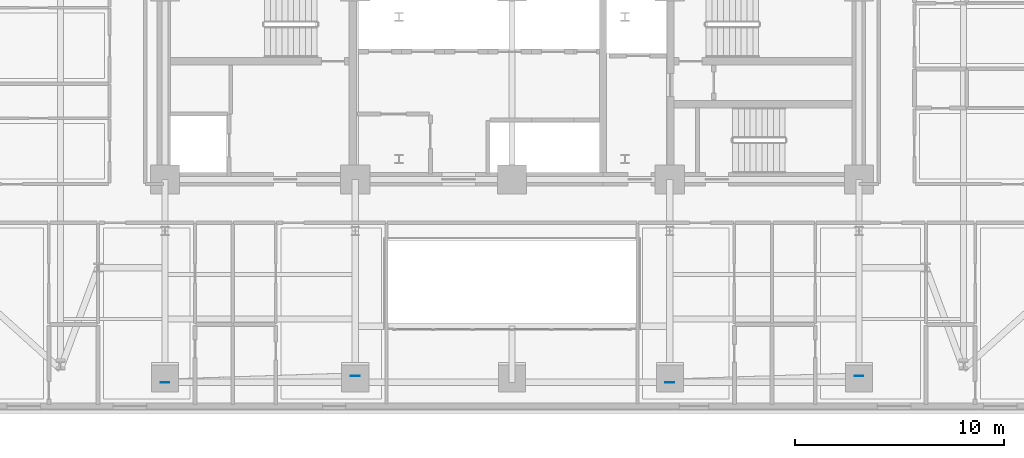
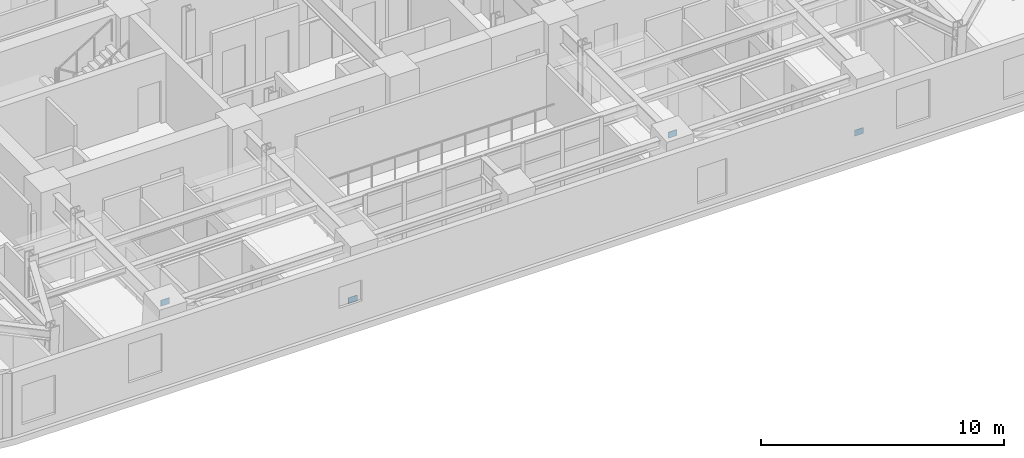
# One storey, part 7 of 16: 4 plates.
"""IFC4 building model written with IfcOpenShell, lengths in metres."""

import ifcopenshell
import ifcopenshell.guid

model = None  # the IFC model being written
_history = None  # IfcOwnerHistory: only IFC2X3 demands one
_inside = {}  # id of a spatial element -> (the spatial element, [elements in it])
_under = {}  # id of a project, library or spatial element -> (it, [spatial elements below it])
_declared = {}  # id of a project -> (the project, [libraries it declares])
_typed = {}  # id of a type object -> (the type object, [elements of that type])
_made_of = {}  # id of a material, layer set ... -> (it, [elements and type objects made of it])


def new_model(schema):
    """Start an empty IFC model of exactly this schema.

    Asked for "IFC4X3", IfcOpenShell would pick the latest addendum, in which some entities
    have other attributes; the version numbers below select the first issue.
    IFC2X3 requires an IfcOwnerHistory on every rooted entity: one is made here for all.
    """
    global model, _history
    if schema == "IFC4X3":
        model = ifcopenshell.file(schema_version=(4, 3, 0, 0))
    else:
        model = ifcopenshell.file(schema=schema)
    _inside.clear()
    _under.clear()
    _declared.clear()
    _typed.clear()
    _made_of.clear()
    _history = None
    if model.schema == "IFC2X3":
        org = make("IfcOrganization", Name="unknown")
        user = make(
            "IfcPersonAndOrganization",
            ThePerson=make("IfcPerson", FamilyName="unknown"),
            TheOrganization=org,
        )
        app = make(
            "IfcApplication",
            ApplicationDeveloper=org,
            Version="unknown",
            ApplicationFullName="unknown",
            ApplicationIdentifier="unknown",
        )
        _history = make(
            "IfcOwnerHistory",
            OwningUser=user,
            OwningApplication=app,
            ChangeAction="ADDED",
            CreationDate=0,
        )
    return model


def make(cls, **values):
    """One entity of the class cls with the attributes given. An attribute that is None is left unset."""
    return model.create_entity(
        cls, **{name: value for name, value in values.items() if value is not None}
    )


def rooted(cls, **values):
    """An entity with a GlobalId (a new one), such as an element, a storey or a relation."""
    return make(cls, GlobalId=ifcopenshell.guid.new(), OwnerHistory=_history, **values)


def si_unit(unit_type, name, prefix=None):
    """IfcSIUnit, for example si_unit("LENGTHUNIT", "METRE", prefix="MILLI")."""
    return make("IfcSIUnit", UnitType=unit_type, Prefix=prefix, Name=name)


def assignment(units):
    """IfcUnitAssignment: the units of a project."""
    return None if units is None else make("IfcUnitAssignment", Units=units)


def point(xyz):
    """IfcCartesianPoint."""
    return None if xyz is None else make("IfcCartesianPoint", Coordinates=xyz)


def direction(xyz):
    """IfcDirection."""
    return None if xyz is None else make("IfcDirection", DirectionRatios=xyz)


def frame(location, z_axis=None, x_axis=None):
    """IfcAxis2Placement3D, a coordinate frame: its origin and axes. An axis left out is left unset."""
    return make(
        "IfcAxis2Placement3D",
        Location=point(location),
        Axis=direction(z_axis),
        RefDirection=direction(x_axis),
    )


def frame_2d(location, x_axis=None):
    """IfcAxis2Placement2D, a coordinate frame in the plane: its origin and x axis."""
    return make(
        "IfcAxis2Placement2D", Location=point(location), RefDirection=direction(x_axis)
    )


def origin():
    """The frame at (0, 0, 0) with its axes left unset."""
    return frame((0.0, 0.0, 0.0))


def origin_2d():
    """The frame at (0, 0) in the plane with its x axis left unset."""
    return frame_2d((0.0, 0.0))


def place(relative_to, where):
    """IfcLocalPlacement: puts the frame where relative to a parent placement (None: the world)."""
    return make(
        "IfcLocalPlacement", PlacementRelTo=relative_to, RelativePlacement=where
    )


def context(
    kind, dimensions, precision=None, world=None, true_north=None, identifier=None
):
    """IfcGeometricRepresentationContext, for example the 3D "Model" context."""
    return make(
        "IfcGeometricRepresentationContext",
        ContextIdentifier=identifier,
        ContextType=kind,
        CoordinateSpaceDimension=dimensions,
        Precision=precision,
        WorldCoordinateSystem=world,
        TrueNorth=true_north,
    )


def subcontext(parent, identifier, kind, view, scale=None):
    """IfcGeometricRepresentationSubContext, for example "Body" below "Model"."""
    return make(
        "IfcGeometricRepresentationSubContext",
        ContextIdentifier=identifier,
        ContextType=kind,
        ParentContext=parent,
        TargetScale=scale,
        TargetView=view,
    )


def project(units=None, contexts=None):
    """IfcProject with its units and contexts."""
    return rooted(
        "IfcProject",
        Name="project",
        RepresentationContexts=contexts,
        UnitsInContext=assignment(units),
    )


def spatial(cls, under=None, at=None, **own):
    """A site, building, storey or space (cls), placed at a placement, below another one or the project."""
    s = rooted(cls, ObjectPlacement=at, **own)
    if under is not None:
        _under.setdefault(under.id(), (under, []))[1].append(s)
    return s


def profile(cls, at=None, kind="AREA", **sizes):
    """A parametric profile (cls). Its sizes go by their IFC names, for example OverallWidth=200.0."""
    return make(cls, ProfileType=kind, Position=at, **sizes)


def rectangle(**sizes):
    """IfcRectangleProfileDef."""
    return profile("IfcRectangleProfileDef", **sizes)


def extrude(swept, where, along, depth):
    """IfcExtrudedAreaSolid: the profile swept, set in the frame where, extruded along a direction by depth."""
    return make(
        "IfcExtrudedAreaSolid",
        SweptArea=swept,
        Position=where,
        ExtrudedDirection=direction(along),
        Depth=depth,
    )


def shape(context_of_items, identifier, shape_type, items):
    """IfcShapeRepresentation: the items that make up one representation, for example the "Body"."""
    return make(
        "IfcShapeRepresentation",
        ContextOfItems=context_of_items,
        RepresentationIdentifier=identifier,
        RepresentationType=shape_type,
        Items=items,
    )


def material(Name=None, Category=None):
    """IfcMaterial."""
    return make("IfcMaterial", Name=Name, Category=Category)


def layer(
    of_material, thickness, ventilated=None, Name=None, Category=None, Priority=None
):
    """IfcMaterialLayer: one layer of a wall or slab, of a material (None: an air gap)."""
    return make(
        "IfcMaterialLayer",
        Material=of_material,
        LayerThickness=thickness,
        IsVentilated=ventilated,
        Name=Name,
        Category=Category,
        Priority=Priority,
    )


def layer_set(layers, Name=None):
    """IfcMaterialLayerSet."""
    return make("IfcMaterialLayerSet", MaterialLayers=layers, LayerSetName=Name)


def made_of(thing, what):
    """Note that an element or type object is made of a material, layer set ...; save() writes the relation."""
    if what is not None:
        _made_of.setdefault(what.id(), (what, []))[1].append(thing)
    return thing


def type_object(cls, material=None, **own):
    """A type object (cls), such as IfcWallType, which elements share."""
    return made_of(rooted(cls, **own), material)


def element(
    cls,
    number,
    at=None,
    inside=None,
    cuts=None,
    type_object=None,
    material=None,
    context=None,
    identifier="Body",
    shape_type=None,
    held_by="IfcProductDefinitionShape",
    body=None,
    shapes=None,
    **own,
):
    """One element of the class cls, such as IfcWall. Its Tag is "e" and its number.

    at: its placement. inside: the storey or other place that contains it. cuts: it is an
    opening in that element (IfcRelVoidsElement). A single representation is given by context,
    identifier, shape_type and body (its items); several are given by shapes. held_by: the class
    of the entity that holds the representations. save() writes the other relations.
    """
    e = rooted(cls, Tag="e%d" % number, ObjectPlacement=at, **own)
    if body is not None:
        shapes = [shape(context, identifier, shape_type, body)]
    if shapes is not None:
        e.Representation = make(held_by, Representations=shapes)
    if inside is not None:
        _inside.setdefault(inside.id(), (inside, []))[1].append(e)
    if cuts is not None:
        rooted(
            "IfcRelVoidsElement", RelatingBuildingElement=cuts, RelatedOpeningElement=e
        )
    if type_object is not None:
        _typed.setdefault(type_object.id(), (type_object, []))[1].append(e)
    return made_of(e, material)


def aggregate(whole, parts):
    """IfcRelAggregates: a whole, such as a stair, and the parts it consists of."""
    return rooted("IfcRelAggregates", RelatingObject=whole, RelatedObjects=parts)


def save(model, path):
    """Write the relations noted so far, then the file.

    IfcRelAggregates (storeys below a building ...), IfcRelContainedInSpatialStructure (elements
    in a storey), IfcRelDefinesByType, IfcRelAssociatesMaterial and IfcRelDeclares: one each for
    every whole, place, type object, material and project.
    """
    for whole, parts in _under.values():
        aggregate(whole, parts)
    for where, things in _inside.values():
        rooted(
            "IfcRelContainedInSpatialStructure",
            RelatedElements=things,
            RelatingStructure=where,
        )
    for kind, things in _typed.values():
        rooted("IfcRelDefinesByType", RelatedObjects=things, RelatingType=kind)
    for what, things in _made_of.values():
        rooted("IfcRelAssociatesMaterial", RelatedObjects=things, RelatingMaterial=what)
    for by, libraries in _declared.values():
        rooted("IfcRelDeclares", RelatingContext=by, RelatedDefinitions=libraries)
    model.write(path)


model = new_model("IFC4")

# Units and contexts
model_context = context("Model", 3, precision=1e-05, world=origin(), true_north=direction((0.0, 1.0)))
body_context = subcontext(model_context, "Body", "Model", "MODEL_VIEW")
ifc_project = project(units=[si_unit("LENGTHUNIT", "METRE"), si_unit("AREAUNIT", "SQUARE_METRE"), si_unit("VOLUMEUNIT", "CUBIC_METRE"), si_unit("PLANEANGLEUNIT", "RADIAN"), si_unit("MASSUNIT", "GRAM", prefix="KILO")], contexts=[model_context])

# Site, building, storey
site_placement = place(None, origin())
site = spatial("IfcSite", under=ifc_project, at=site_placement, CompositionType="ELEMENT")
building_placement = place(site_placement, origin())
building = spatial("IfcBuilding", under=site, at=building_placement, Name="Zarnavel Station Tower", CompositionType="ELEMENT")
storey_placement = place(building_placement, frame((0.0, 0.0, 86.300048828125)))
storey = spatial("IfcBuildingStorey", under=building, at=storey_placement, Name="L23", CompositionType="ELEMENT", Elevation=86.300048828125)

# Plates
ifc_material = material(Name="Steel S460M", Category="steel")
ifc_layer = layer(ifc_material, 0.02490234375)
ifc_layer_set = layer_set([ifc_layer], Name="GP_GUSSET_25")
plate_type = type_object("IfcPlateType", Name="GP_GUSSET_25", PredefinedType="USERDEFINED", material=ifc_layer_set)
for number, where, z_axis, x_axis, name in (
    (1, (21.300048828125, 18.407470703125, -0.14990234375), (0.0, 0.0, 1.0), (1.0, 0.0, 0.0), "L23 Exterior Diagonal Brace End Gusset 1-1"),
    (2, (12.199951171875, 18.114013671875, 3.08984375), (0.0, 0.0, 1.0), (1.0, 0.0, 0.0), "L23 Exterior Diagonal Brace End Gusset 1-2"),
    (3, (45.39990234375, 18.407470703125, -0.14990234375), (0.0, 0.0, 1.0), (1.0, 0.0, 0.0), "L23 Exterior Diagonal Brace End Gusset 2-1"),
    (4, (36.35009765625, 18.114013671875, 3.08984375), (0.0, 0.0, 1.0), (1.0, 0.0, 0.0), "L23 Exterior Diagonal Brace End Gusset 2-2"),
):
    element("IfcPlate", number, at=place(storey_placement, frame(where, z_axis=z_axis, x_axis=x_axis)), inside=storey, type_object=plate_type, Name=name, ObjectType="GUSSET_PLATE", PredefinedType="USERDEFINED", context=body_context, shape_type="SweptSolid", body=[
        extrude(rectangle(XDim=0.419921875, YDim=0.02490234375, at=origin_2d()), origin(), (0.0, 0.0, 1.0), 0.300048828125),
    ])

save(model, "model.ifc")
